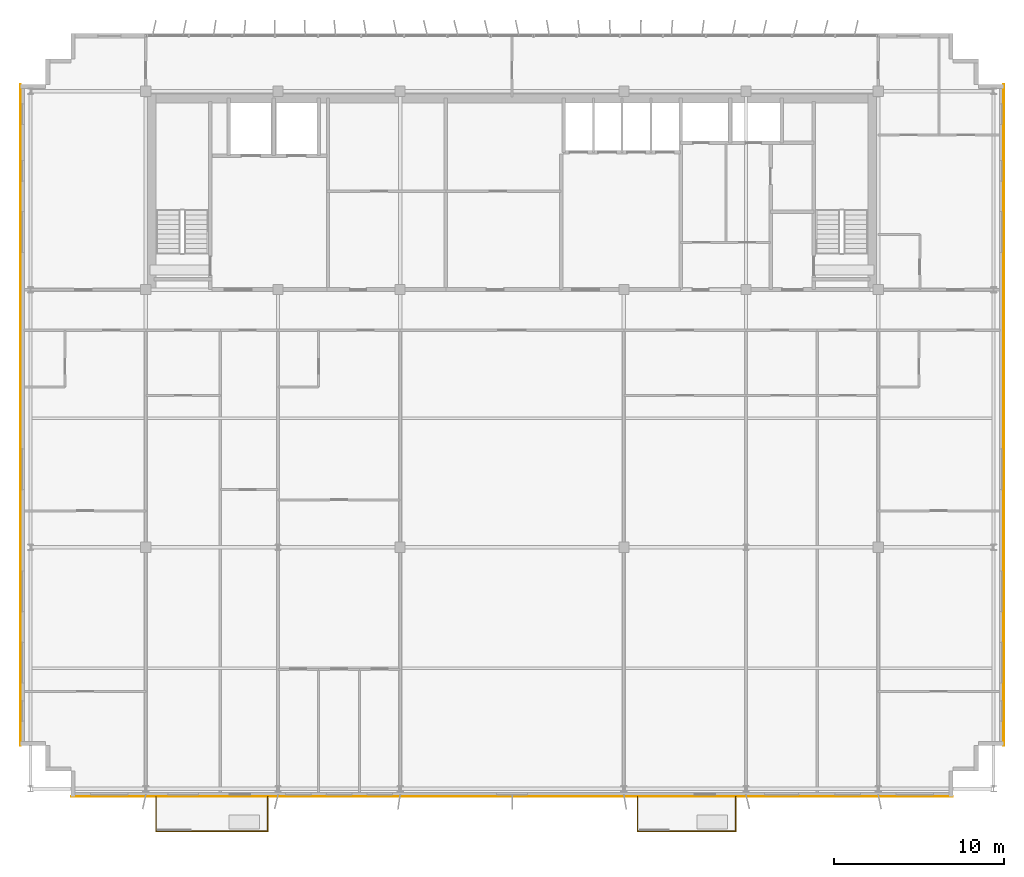
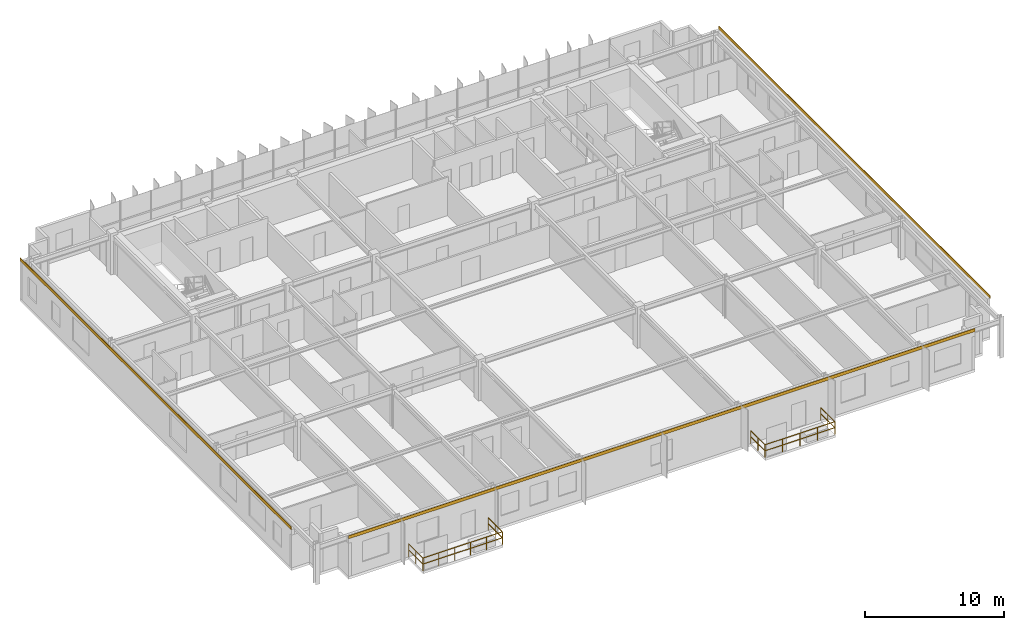
# One storey, part 21 of 22: 6 railings, 3 coverings.
"""IFC4 building model written with IfcOpenShell, lengths in metres."""

import ifcopenshell
import ifcopenshell.guid

model = None  # the IFC model being written
_history = None  # IfcOwnerHistory: only IFC2X3 demands one
_inside = {}  # id of a spatial element -> (the spatial element, [elements in it])
_under = {}  # id of a project, library or spatial element -> (it, [spatial elements below it])
_declared = {}  # id of a project -> (the project, [libraries it declares])
_typed = {}  # id of a type object -> (the type object, [elements of that type])
_made_of = {}  # id of a material, layer set ... -> (it, [elements and type objects made of it])


def new_model(schema):
    """Start an empty IFC model of exactly this schema.

    Asked for "IFC4X3", IfcOpenShell would pick the latest addendum, in which some entities
    have other attributes; the version numbers below select the first issue.
    IFC2X3 requires an IfcOwnerHistory on every rooted entity: one is made here for all.
    """
    global model, _history
    if schema == "IFC4X3":
        model = ifcopenshell.file(schema_version=(4, 3, 0, 0))
    else:
        model = ifcopenshell.file(schema=schema)
    _inside.clear()
    _under.clear()
    _declared.clear()
    _typed.clear()
    _made_of.clear()
    _history = None
    if model.schema == "IFC2X3":
        org = make("IfcOrganization", Name="unknown")
        user = make(
            "IfcPersonAndOrganization",
            ThePerson=make("IfcPerson", FamilyName="unknown"),
            TheOrganization=org,
        )
        app = make(
            "IfcApplication",
            ApplicationDeveloper=org,
            Version="unknown",
            ApplicationFullName="unknown",
            ApplicationIdentifier="unknown",
        )
        _history = make(
            "IfcOwnerHistory",
            OwningUser=user,
            OwningApplication=app,
            ChangeAction="ADDED",
            CreationDate=0,
        )
    return model


def make(cls, **values):
    """One entity of the class cls with the attributes given. An attribute that is None is left unset."""
    return model.create_entity(
        cls, **{name: value for name, value in values.items() if value is not None}
    )


def rooted(cls, **values):
    """An entity with a GlobalId (a new one), such as an element, a storey or a relation."""
    return make(cls, GlobalId=ifcopenshell.guid.new(), OwnerHistory=_history, **values)


def si_unit(unit_type, name, prefix=None):
    """IfcSIUnit, for example si_unit("LENGTHUNIT", "METRE", prefix="MILLI")."""
    return make("IfcSIUnit", UnitType=unit_type, Prefix=prefix, Name=name)


def assignment(units):
    """IfcUnitAssignment: the units of a project."""
    return None if units is None else make("IfcUnitAssignment", Units=units)


def point(xyz):
    """IfcCartesianPoint."""
    return None if xyz is None else make("IfcCartesianPoint", Coordinates=xyz)


def direction(xyz):
    """IfcDirection."""
    return None if xyz is None else make("IfcDirection", DirectionRatios=xyz)


def frame(location, z_axis=None, x_axis=None):
    """IfcAxis2Placement3D, a coordinate frame: its origin and axes. An axis left out is left unset."""
    return make(
        "IfcAxis2Placement3D",
        Location=point(location),
        Axis=direction(z_axis),
        RefDirection=direction(x_axis),
    )


def frame_2d(location, x_axis=None):
    """IfcAxis2Placement2D, a coordinate frame in the plane: its origin and x axis."""
    return make(
        "IfcAxis2Placement2D", Location=point(location), RefDirection=direction(x_axis)
    )


def origin():
    """The frame at (0, 0, 0) with its axes left unset."""
    return frame((0.0, 0.0, 0.0))


def origin_2d():
    """The frame at (0, 0) in the plane with its x axis left unset."""
    return frame_2d((0.0, 0.0))


def place(relative_to, where):
    """IfcLocalPlacement: puts the frame where relative to a parent placement (None: the world)."""
    return make(
        "IfcLocalPlacement", PlacementRelTo=relative_to, RelativePlacement=where
    )


def context(
    kind, dimensions, precision=None, world=None, true_north=None, identifier=None
):
    """IfcGeometricRepresentationContext, for example the 3D "Model" context."""
    return make(
        "IfcGeometricRepresentationContext",
        ContextIdentifier=identifier,
        ContextType=kind,
        CoordinateSpaceDimension=dimensions,
        Precision=precision,
        WorldCoordinateSystem=world,
        TrueNorth=true_north,
    )


def subcontext(parent, identifier, kind, view, scale=None):
    """IfcGeometricRepresentationSubContext, for example "Body" below "Model"."""
    return make(
        "IfcGeometricRepresentationSubContext",
        ContextIdentifier=identifier,
        ContextType=kind,
        ParentContext=parent,
        TargetScale=scale,
        TargetView=view,
    )


def project(units=None, contexts=None):
    """IfcProject with its units and contexts."""
    return rooted(
        "IfcProject",
        Name="project",
        RepresentationContexts=contexts,
        UnitsInContext=assignment(units),
    )


def spatial(cls, under=None, at=None, **own):
    """A site, building, storey or space (cls), placed at a placement, below another one or the project."""
    s = rooted(cls, ObjectPlacement=at, **own)
    if under is not None:
        _under.setdefault(under.id(), (under, []))[1].append(s)
    return s


def profile(cls, at=None, kind="AREA", **sizes):
    """A parametric profile (cls). Its sizes go by their IFC names, for example OverallWidth=200.0."""
    return make(cls, ProfileType=kind, Position=at, **sizes)


def rectangle(**sizes):
    """IfcRectangleProfileDef."""
    return profile("IfcRectangleProfileDef", **sizes)


def extrude(swept, where, along, depth):
    """IfcExtrudedAreaSolid: the profile swept, set in the frame where, extruded along a direction by depth."""
    return make(
        "IfcExtrudedAreaSolid",
        SweptArea=swept,
        Position=where,
        ExtrudedDirection=direction(along),
        Depth=depth,
    )


def shape(context_of_items, identifier, shape_type, items):
    """IfcShapeRepresentation: the items that make up one representation, for example the "Body"."""
    return make(
        "IfcShapeRepresentation",
        ContextOfItems=context_of_items,
        RepresentationIdentifier=identifier,
        RepresentationType=shape_type,
        Items=items,
    )


def source(mapping_origin, context_of_items, identifier, shape_type, items):
    """IfcRepresentationMap: a shape defined once, which mapped items show again and again."""
    return make(
        "IfcRepresentationMap",
        MappingOrigin=mapping_origin,
        MappedRepresentation=shape(context_of_items, identifier, shape_type, items),
    )


def transform(
    local_origin,
    x_axis=None,
    y_axis=None,
    z_axis=None,
    scale=None,
    scale2=None,
    scale3=None,
    uniform=True,
):
    """IfcCartesianTransformationOperator3D, or its non-uniform kind. x_axis, y_axis, z_axis: its Axis1, 2, 3."""
    if uniform:
        return make(
            "IfcCartesianTransformationOperator3D",
            Axis1=direction(x_axis),
            Axis2=direction(y_axis),
            LocalOrigin=point(local_origin),
            Scale=scale,
            Axis3=direction(z_axis),
        )
    return make(
        "IfcCartesianTransformationOperator3DnonUniform",
        Axis1=direction(x_axis),
        Axis2=direction(y_axis),
        LocalOrigin=point(local_origin),
        Scale=scale,
        Axis3=direction(z_axis),
        Scale2=scale2,
        Scale3=scale3,
    )


def mapped(mapping_source, mapping_target):
    """IfcMappedItem: shows the shape of a source again, moved by a transform."""
    return make(
        "IfcMappedItem", MappingSource=mapping_source, MappingTarget=mapping_target
    )


def material(Name=None, Category=None):
    """IfcMaterial."""
    return make("IfcMaterial", Name=Name, Category=Category)


def layer(
    of_material, thickness, ventilated=None, Name=None, Category=None, Priority=None
):
    """IfcMaterialLayer: one layer of a wall or slab, of a material (None: an air gap)."""
    return make(
        "IfcMaterialLayer",
        Material=of_material,
        LayerThickness=thickness,
        IsVentilated=ventilated,
        Name=Name,
        Category=Category,
        Priority=Priority,
    )


def layer_set(layers, Name=None):
    """IfcMaterialLayerSet."""
    return make("IfcMaterialLayerSet", MaterialLayers=layers, LayerSetName=Name)


def made_of(thing, what):
    """Note that an element or type object is made of a material, layer set ...; save() writes the relation."""
    if what is not None:
        _made_of.setdefault(what.id(), (what, []))[1].append(thing)
    return thing


def type_object(cls, material=None, **own):
    """A type object (cls), such as IfcWallType, which elements share."""
    return made_of(rooted(cls, **own), material)


def element(
    cls,
    number,
    at=None,
    inside=None,
    cuts=None,
    type_object=None,
    material=None,
    context=None,
    identifier="Body",
    shape_type=None,
    held_by="IfcProductDefinitionShape",
    body=None,
    shapes=None,
    **own,
):
    """One element of the class cls, such as IfcWall. Its Tag is "e" and its number.

    at: its placement. inside: the storey or other place that contains it. cuts: it is an
    opening in that element (IfcRelVoidsElement). A single representation is given by context,
    identifier, shape_type and body (its items); several are given by shapes. held_by: the class
    of the entity that holds the representations. save() writes the other relations.
    """
    e = rooted(cls, Tag="e%d" % number, ObjectPlacement=at, **own)
    if body is not None:
        shapes = [shape(context, identifier, shape_type, body)]
    if shapes is not None:
        e.Representation = make(held_by, Representations=shapes)
    if inside is not None:
        _inside.setdefault(inside.id(), (inside, []))[1].append(e)
    if cuts is not None:
        rooted(
            "IfcRelVoidsElement", RelatingBuildingElement=cuts, RelatedOpeningElement=e
        )
    if type_object is not None:
        _typed.setdefault(type_object.id(), (type_object, []))[1].append(e)
    return made_of(e, material)


def aggregate(whole, parts):
    """IfcRelAggregates: a whole, such as a stair, and the parts it consists of."""
    return rooted("IfcRelAggregates", RelatingObject=whole, RelatedObjects=parts)


def save(model, path):
    """Write the relations noted so far, then the file.

    IfcRelAggregates (storeys below a building ...), IfcRelContainedInSpatialStructure (elements
    in a storey), IfcRelDefinesByType, IfcRelAssociatesMaterial and IfcRelDeclares: one each for
    every whole, place, type object, material and project.
    """
    for whole, parts in _under.values():
        aggregate(whole, parts)
    for where, things in _inside.values():
        rooted(
            "IfcRelContainedInSpatialStructure",
            RelatedElements=things,
            RelatingStructure=where,
        )
    for kind, things in _typed.values():
        rooted("IfcRelDefinesByType", RelatedObjects=things, RelatingType=kind)
    for what, things in _made_of.values():
        rooted("IfcRelAssociatesMaterial", RelatedObjects=things, RelatingMaterial=what)
    for by, libraries in _declared.values():
        rooted("IfcRelDeclares", RelatingContext=by, RelatedDefinitions=libraries)
    model.write(path)


model = new_model("IFC4")

# Units and contexts
model_context = context("Model", 3, precision=1e-05, world=origin(), true_north=direction((0.0, 1.0)))
body_context = subcontext(model_context, "Body", "Model", "MODEL_VIEW")
ifc_project = project(units=[si_unit("LENGTHUNIT", "METRE"), si_unit("AREAUNIT", "SQUARE_METRE"), si_unit("VOLUMEUNIT", "CUBIC_METRE"), si_unit("PLANEANGLEUNIT", "RADIAN"), si_unit("MASSUNIT", "GRAM", prefix="KILO")], contexts=[model_context])

# Site, building, storey
site_placement = place(None, origin())
site = spatial("IfcSite", under=ifc_project, at=site_placement, CompositionType="ELEMENT")
building_placement = place(site_placement, origin())
building = spatial("IfcBuilding", under=site, at=building_placement, Name="Trelvane Seafront Commons", CompositionType="ELEMENT")
storey_placement = place(building_placement, frame((0.0, 0.0, 273.89990234375)))
storey = spatial("IfcBuildingStorey", under=building, at=storey_placement, Name="L71", CompositionType="ELEMENT", Elevation=273.89990234375)

# Railings
ifc_material_1 = material(Name="Stainless steel balustrade", Category="steel")
railing_type = type_object("IfcRailingType", Name="ARCH-RAIL-BAL1150", PredefinedType="BALUSTRADE", material=ifc_material_1)
railing_1_placement = place(storey_placement, frame((16.199951171875, 3.5, 0.0)))
element("IfcRailing", 1, at=railing_1_placement, inside=storey, type_object=railing_type, Name="RL-L71-BAL0-01", PredefinedType="BALUSTRADE", context=body_context, shape_type="SweptSolid", body=[
    extrude(rectangle(XDim=0.048095703125, YDim=0.048095703125, at=origin_2d()), frame((0.0, 0.0, 1.1259765625), z_axis=(0.0, -1.0, 0.0), x_axis=(1.0, 0.0, 0.0)), (0.0, 0.0, 1.0), 2.0400390625),
    extrude(rectangle(XDim=0.048095703125, YDim=0.048095703125, at=origin_2d()), frame((0.0, 0.0, 0.597900390625), z_axis=(0.0, -1.0, 0.0), x_axis=(1.0, 0.0, 0.0)), (0.0, 0.0, 1.0), 2.0400390625),
    extrude(rectangle(XDim=0.0419921875, YDim=0.0419921875, at=origin_2d()), origin(), (0.0, 0.0, 1.0), 1.1259765625),
    extrude(rectangle(XDim=0.0419921875, YDim=0.0419921875, at=origin_2d()), frame((0.0, -1.02001953125, 0.0)), (0.0, 0.0, 1.0), 1.1259765625),
    extrude(rectangle(XDim=0.0419921875, YDim=0.0419921875, at=origin_2d()), frame((0.0, -2.0400390625, 0.0)), (0.0, 0.0, 1.0), 1.1259765625),
])
railing_2_placement = place(storey_placement, frame((16.199951171875, 1.4599609375, 0.0)))
element("IfcRailing", 2, at=railing_2_placement, inside=storey, type_object=railing_type, Name="RL-L71-BAL0-02", PredefinedType="BALUSTRADE", context=body_context, shape_type="SweptSolid", body=[
    extrude(rectangle(XDim=0.048095703125, YDim=0.048095703125, at=origin_2d()), frame((0.0, 0.0, 1.1259765625), z_axis=(1.0, 0.0, 0.0), x_axis=(0.0, 1.0, 0.0)), (0.0, 0.0, 1.0), 6.60009765625),
    extrude(rectangle(XDim=0.048095703125, YDim=0.048095703125, at=origin_2d()), frame((0.0, 0.0, 0.597900390625), z_axis=(1.0, 0.0, 0.0), x_axis=(0.0, 1.0, 0.0)), (0.0, 0.0, 1.0), 6.60009765625),
    extrude(rectangle(XDim=0.0419921875, YDim=0.0419921875, at=origin_2d()), origin(), (0.0, 0.0, 1.0), 1.1259765625),
    extrude(rectangle(XDim=0.0419921875, YDim=0.0419921875, at=origin_2d()), frame((1.320068359375, 0.0, 0.0)), (0.0, 0.0, 1.0), 1.1259765625),
    extrude(rectangle(XDim=0.0419921875, YDim=0.0419921875, at=origin_2d()), frame((2.64013671875, 0.0, 0.0)), (0.0, 0.0, 1.0), 1.1259765625),
    extrude(rectangle(XDim=0.0419921875, YDim=0.0419921875, at=origin_2d()), frame((3.9599609375, 0.0, 0.0)), (0.0, 0.0, 1.0), 1.1259765625),
    extrude(rectangle(XDim=0.0419921875, YDim=0.0419921875, at=origin_2d()), frame((5.280029296875, 0.0, 0.0)), (0.0, 0.0, 1.0), 1.1259765625),
    extrude(rectangle(XDim=0.0419921875, YDim=0.0419921875, at=origin_2d()), frame((6.60009765625, 0.0, 0.0)), (0.0, 0.0, 1.0), 1.1259765625),
])
railing_3_placement = place(storey_placement, frame((22.800048828125, 1.4599609375, 0.0)))
element("IfcRailing", 3, at=railing_3_placement, inside=storey, type_object=railing_type, Name="RL-L71-BAL0-03", PredefinedType="BALUSTRADE", context=body_context, shape_type="SweptSolid", body=[
    extrude(rectangle(XDim=0.048095703125, YDim=0.048095703125, at=origin_2d()), frame((0.0, 0.0, 1.1259765625), z_axis=(0.0, 1.0, 0.0), x_axis=(-1.0, 0.0, 0.0)), (0.0, 0.0, 1.0), 2.0400390625),
    extrude(rectangle(XDim=0.048095703125, YDim=0.048095703125, at=origin_2d()), frame((0.0, 0.0, 0.597900390625), z_axis=(0.0, 1.0, 0.0), x_axis=(-1.0, 0.0, 0.0)), (0.0, 0.0, 1.0), 2.0400390625),
    extrude(rectangle(XDim=0.0419921875, YDim=0.0419921875, at=origin_2d()), origin(), (0.0, 0.0, 1.0), 1.1259765625),
    extrude(rectangle(XDim=0.0419921875, YDim=0.0419921875, at=origin_2d()), frame((0.0, 1.02001953125, 0.0)), (0.0, 0.0, 1.0), 1.1259765625),
    extrude(rectangle(XDim=0.0419921875, YDim=0.0419921875, at=origin_2d()), frame((0.0, 2.0400390625, 0.0)), (0.0, 0.0, 1.0), 1.1259765625),
])
railing_4_placement = place(storey_placement, frame((44.60009765625, 3.5, 0.0)))
element("IfcRailing", 4, at=railing_4_placement, inside=storey, type_object=railing_type, Name="RL-L71-BAL1-01", PredefinedType="BALUSTRADE", context=body_context, shape_type="SweptSolid", body=[
    extrude(rectangle(XDim=0.048095703125, YDim=0.048095703125, at=origin_2d()), frame((0.0, 0.0, 1.1259765625), z_axis=(0.0, -1.0, 0.0), x_axis=(1.0, 0.0, 0.0)), (0.0, 0.0, 1.0), 2.0400390625),
    extrude(rectangle(XDim=0.048095703125, YDim=0.048095703125, at=origin_2d()), frame((0.0, 0.0, 0.597900390625), z_axis=(0.0, -1.0, 0.0), x_axis=(1.0, 0.0, 0.0)), (0.0, 0.0, 1.0), 2.0400390625),
    extrude(rectangle(XDim=0.0419921875, YDim=0.0419921875, at=origin_2d()), origin(), (0.0, 0.0, 1.0), 1.1259765625),
    extrude(rectangle(XDim=0.0419921875, YDim=0.0419921875, at=origin_2d()), frame((0.0, -1.02001953125, 0.0)), (0.0, 0.0, 1.0), 1.1259765625),
    extrude(rectangle(XDim=0.0419921875, YDim=0.0419921875, at=origin_2d()), frame((0.0, -2.0400390625, 0.0)), (0.0, 0.0, 1.0), 1.1259765625),
])
railing_5_placement = place(storey_placement, frame((44.60009765625, 1.4599609375, 0.0)))
element("IfcRailing", 5, at=railing_5_placement, inside=storey, type_object=railing_type, Name="RL-L71-BAL1-02", PredefinedType="BALUSTRADE", context=body_context, shape_type="SweptSolid", body=[
    extrude(rectangle(XDim=0.048095703125, YDim=0.048095703125, at=origin_2d()), frame((0.0, 0.0, 1.1259765625), z_axis=(1.0, 0.0, 0.0), x_axis=(0.0, 1.0, 0.0)), (0.0, 0.0, 1.0), 5.7998046875),
    extrude(rectangle(XDim=0.048095703125, YDim=0.048095703125, at=origin_2d()), frame((0.0, 0.0, 0.597900390625), z_axis=(1.0, 0.0, 0.0), x_axis=(0.0, 1.0, 0.0)), (0.0, 0.0, 1.0), 5.7998046875),
    extrude(rectangle(XDim=0.0419921875, YDim=0.0419921875, at=origin_2d()), origin(), (0.0, 0.0, 1.0), 1.1259765625),
    extrude(rectangle(XDim=0.0419921875, YDim=0.0419921875, at=origin_2d()), frame((1.449951171875, 0.0, 0.0)), (0.0, 0.0, 1.0), 1.1259765625),
    extrude(rectangle(XDim=0.0419921875, YDim=0.0419921875, at=origin_2d()), frame((2.89990234375, 0.0, 0.0)), (0.0, 0.0, 1.0), 1.1259765625),
    extrude(rectangle(XDim=0.0419921875, YDim=0.0419921875, at=origin_2d()), frame((4.349853515625, 0.0, 0.0)), (0.0, 0.0, 1.0), 1.1259765625),
    extrude(rectangle(XDim=0.0419921875, YDim=0.0419921875, at=origin_2d()), frame((5.7998046875, 0.0, 0.0)), (0.0, 0.0, 1.0), 1.1259765625),
])
railing_6_placement = place(storey_placement, frame((50.39990234375, 1.4599609375, 0.0)))
element("IfcRailing", 6, at=railing_6_placement, inside=storey, type_object=railing_type, Name="RL-L71-BAL1-03", PredefinedType="BALUSTRADE", context=body_context, shape_type="SweptSolid", body=[
    extrude(rectangle(XDim=0.048095703125, YDim=0.048095703125, at=origin_2d()), frame((0.0, 0.0, 1.1259765625), z_axis=(0.0, 1.0, 0.0), x_axis=(-1.0, 0.0, 0.0)), (0.0, 0.0, 1.0), 2.0400390625),
    extrude(rectangle(XDim=0.048095703125, YDim=0.048095703125, at=origin_2d()), frame((0.0, 0.0, 0.597900390625), z_axis=(0.0, 1.0, 0.0), x_axis=(-1.0, 0.0, 0.0)), (0.0, 0.0, 1.0), 2.0400390625),
    extrude(rectangle(XDim=0.0419921875, YDim=0.0419921875, at=origin_2d()), origin(), (0.0, 0.0, 1.0), 1.1259765625),
    extrude(rectangle(XDim=0.0419921875, YDim=0.0419921875, at=origin_2d()), frame((0.0, 1.02001953125, 0.0)), (0.0, 0.0, 1.0), 1.1259765625),
    extrude(rectangle(XDim=0.0419921875, YDim=0.0419921875, at=origin_2d()), frame((0.0, 2.0400390625, 0.0)), (0.0, 0.0, 1.0), 1.1259765625),
])

# Coverings
ifc_material_2 = material(Name="Anodised pale-silver aluminium", Category="aluminium")
ifc_layer = layer(ifc_material_2, 0.034912109375, Name="ARCH-COV-CLAD35")
ifc_layer_set = layer_set([ifc_layer], Name="Anodised pale-silver aluminium")
covering_type = type_object("IfcCoveringType", Name="ARCH-COV-CLAD35", PredefinedType="CLADDING", material=ifc_layer_set)
shared_shape_1 = source(origin(), body_context, "Body", "SweptSolid", [
    extrude(rectangle(XDim=39.0, YDim=0.034912109375, at=origin_2d()), origin(), (0.0, 0.0, 1.0), 0.27001953125),
])
for number, where, z_axis, x_axis, name in (
    (7, (8.199951171875, 26.0, 3.330078125), (0.0, 0.0, 1.0), (0.0, 1.0, 0.0), "CLD-L71-00284"),
    (8, (66.199951171875, 26.0, 3.330078125), (0.0, 0.0, 1.0), (0.0, -1.0, 0.0), "CLD-L71-00285"),
):
    element("IfcCovering", number, at=place(storey_placement, frame(where, z_axis=z_axis, x_axis=x_axis)), inside=storey, type_object=covering_type, Name=name, PredefinedType="CLADDING", context=body_context, shape_type="MappedRepresentation", body=[
        mapped(shared_shape_1, transform((0.0, 0.0, 0.0), x_axis=(1.0, 0.0, 0.0), y_axis=(0.0, 1.0, 0.0), z_axis=(0.0, 0.0, 1.0), scale=1.0)),
    ])
shared_shape_2 = source(origin(), body_context, "Body", "SweptSolid", [
    extrude(rectangle(XDim=52.0, YDim=0.034912109375, at=origin_2d()), origin(), (0.0, 0.0, 1.0), 0.27001953125),
])
covering_placement = place(storey_placement, frame((37.199951171875, 3.5, 3.330078125), z_axis=(0.0, 0.0, 1.0), x_axis=(-1.0, 0.0, 0.0)))
element("IfcCovering", 9, at=covering_placement, inside=storey, type_object=covering_type, Name="CLD-L71-00286", PredefinedType="CLADDING", context=body_context, shape_type="MappedRepresentation", body=[
    mapped(shared_shape_2, transform((0.0, 0.0, 0.0), x_axis=(1.0, 0.0, 0.0), y_axis=(0.0, 1.0, 0.0), z_axis=(0.0, 0.0, 1.0), scale=1.0)),
])

save(model, "model.ifc")
